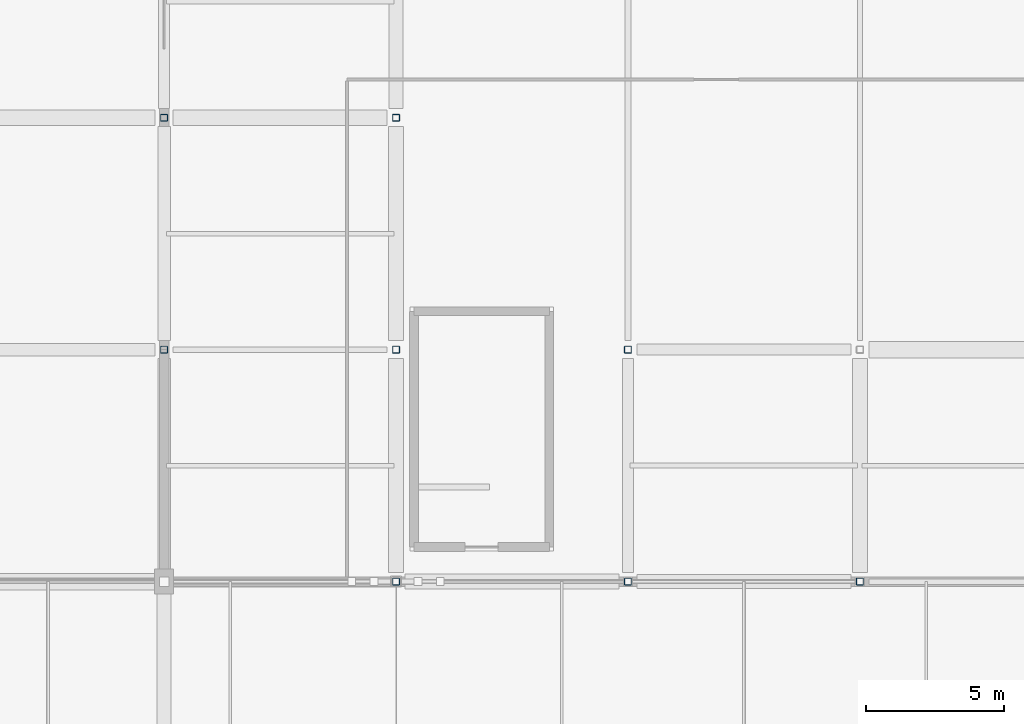
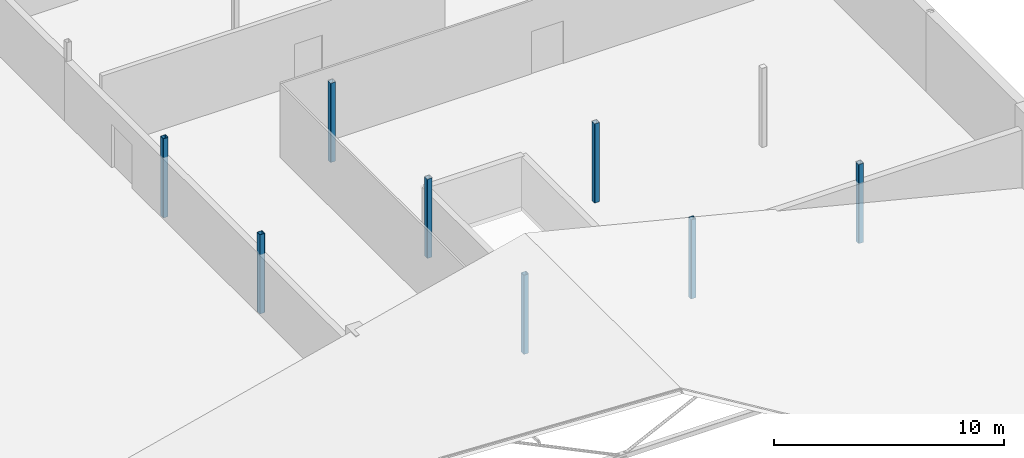
# One storey, part 6 of 64: 8 columns.
"""IFC4 building model written with IfcOpenShell, lengths in metres."""

from ifc_helpers import new_model, si_unit, derived_unit, direction, frame, origin, origin_2d, place, context, subcontext, project, spatial, hollow_rectangle, extrude, material, material_profile, profile_set, type_object, element, save


model = new_model("IFC4")

# Units and contexts
model_context = context("Model", 3, precision=1e-05, world=origin(), true_north=direction((0.0, 1.0)))
body_context = subcontext(model_context, "Body", "Model", "MODEL_VIEW")
ifc_project = project(units=[si_unit("LENGTHUNIT", "METRE"), si_unit("AREAUNIT", "SQUARE_METRE"), si_unit("VOLUMEUNIT", "CUBIC_METRE"), si_unit("PLANEANGLEUNIT", "RADIAN"), si_unit("MASSUNIT", "GRAM", prefix="KILO"), derived_unit("THERMALTRANSMITTANCEUNIT", [(si_unit("POWERUNIT", "WATT"), 1), (si_unit("LENGTHUNIT", "METRE"), -2), (si_unit("THERMODYNAMICTEMPERATUREUNIT", "KELVIN"), -1)])], contexts=[model_context])

# Site, building, storey
site_placement = place(None, origin())
site = spatial("IfcSite", under=ifc_project, at=site_placement, CompositionType="ELEMENT")
building_placement = place(site_placement, origin())
building = spatial("IfcBuilding", under=site, at=building_placement, Name="Barrovel Congress Hotel", CompositionType="ELEMENT")
storey_placement = place(building_placement, frame((0.0, 0.0, 14.10009765625)))
storey = spatial("IfcBuildingStorey", under=building, at=storey_placement, Name="L03", CompositionType="ELEMENT", Elevation=14.10009765625)

# Columns
ifc_material = material(Name="Steel ASTM A500 Grade C", Category="steel")
ifc_material_profile = material_profile(ifc_material, hollow_rectangle(XDim=0.25390625, YDim=0.25390625, WallThickness=0.01171875, InnerFilletRadius=0.01171875, OuterFilletRadius=0.023681640625, at=origin_2d()), Name="HSS254x254x12.7")
ifc_profile_set = profile_set([ifc_material_profile], Name="Steel ASTM A500 Grade C")
column_type = type_object("IfcColumnType", Name="SCOL-HSS254x254x12.7", PredefinedType="COLUMN", material=ifc_profile_set)
for number, where, z_axis, x_axis, name in (
    (1, (142.800048828125, 88.199951171875, 0.0), (0.0, 0.0, 1.0), (1.0, 0.0, 0.0), "COL:L03:142.8:88.2"),
    (2, (142.800048828125, 96.60009765625, 0.0), (0.0, 0.0, 1.0), (1.0, 0.0, 0.0), "COL:L03:142.8:96.6"),
    (3, (151.199951171875, 79.800048828125, 0.0), (0.0, 0.0, 1.0), (1.0, 0.0, 0.0), "COL:L03:151.2:79.8"),
    (4, (151.199951171875, 88.199951171875, 0.0), (0.0, 0.0, 1.0), (1.0, 0.0, 0.0), "COL:L03:151.2:88.2"),
    (5, (151.199951171875, 96.60009765625, 0.0), (0.0, 0.0, 1.0), (1.0, 0.0, 0.0), "COL:L03:151.2:96.6"),
    (6, (159.60009765625, 79.800048828125, 0.0), (0.0, 0.0, 1.0), (1.0, 0.0, 0.0), "COL:L03:159.6:79.8"),
    (7, (159.60009765625, 88.199951171875, 0.0), (0.0, 0.0, 1.0), (1.0, 0.0, 0.0), "COL:L03:159.6:88.2"),
    (8, (168.0, 79.800048828125, 0.0), (0.0, 0.0, 1.0), (1.0, 0.0, 0.0), "COL:L03:168.0:79.8"),
):
    element("IfcColumn", number, at=place(storey_placement, frame(where, z_axis=z_axis, x_axis=x_axis)), inside=storey, type_object=column_type, Name=name, PredefinedType="COLUMN", context=body_context, shape_type="SweptSolid", body=[
        extrude(hollow_rectangle(XDim=0.25390625, YDim=0.25390625, WallThickness=0.01171875, InnerFilletRadius=0.01171875, OuterFilletRadius=0.023681640625, at=origin_2d()), origin(), (0.0, 0.0, 1.0), 4.199951171875),
    ])

save(model, "model.ifc")
